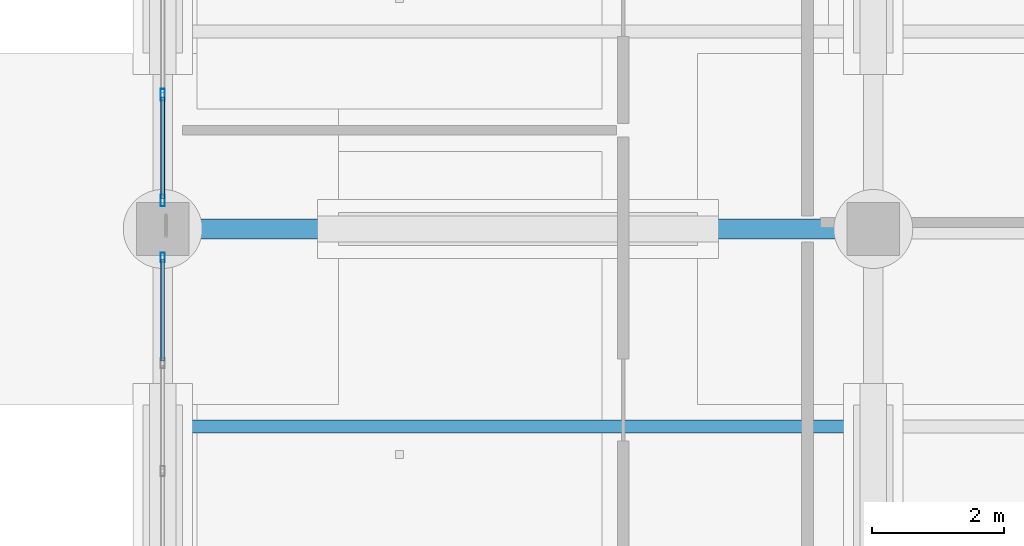
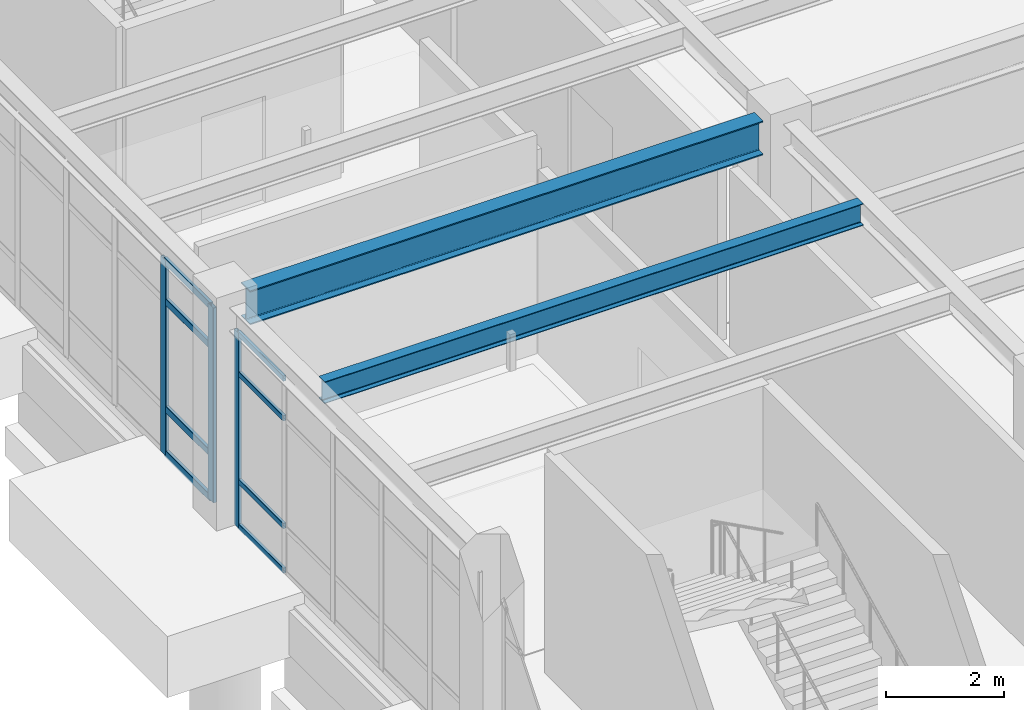
# One storey, part 39 of 98: 11 members, 2 beams, 2 elements without a shape of their own.
"""IFC4 building model written with IfcOpenShell, lengths in metres."""

import ifcopenshell
import ifcopenshell.guid

model = None  # the IFC model being written
_history = None  # IfcOwnerHistory: only IFC2X3 demands one
_inside = {}  # id of a spatial element -> (the spatial element, [elements in it])
_under = {}  # id of a project, library or spatial element -> (it, [spatial elements below it])
_declared = {}  # id of a project -> (the project, [libraries it declares])
_typed = {}  # id of a type object -> (the type object, [elements of that type])
_made_of = {}  # id of a material, layer set ... -> (it, [elements and type objects made of it])


def new_model(schema):
    """Start an empty IFC model of exactly this schema.

    Asked for "IFC4X3", IfcOpenShell would pick the latest addendum, in which some entities
    have other attributes; the version numbers below select the first issue.
    IFC2X3 requires an IfcOwnerHistory on every rooted entity: one is made here for all.
    """
    global model, _history
    if schema == "IFC4X3":
        model = ifcopenshell.file(schema_version=(4, 3, 0, 0))
    else:
        model = ifcopenshell.file(schema=schema)
    _inside.clear()
    _under.clear()
    _declared.clear()
    _typed.clear()
    _made_of.clear()
    _history = None
    if model.schema == "IFC2X3":
        org = make("IfcOrganization", Name="unknown")
        user = make(
            "IfcPersonAndOrganization",
            ThePerson=make("IfcPerson", FamilyName="unknown"),
            TheOrganization=org,
        )
        app = make(
            "IfcApplication",
            ApplicationDeveloper=org,
            Version="unknown",
            ApplicationFullName="unknown",
            ApplicationIdentifier="unknown",
        )
        _history = make(
            "IfcOwnerHistory",
            OwningUser=user,
            OwningApplication=app,
            ChangeAction="ADDED",
            CreationDate=0,
        )
    return model


def make(cls, **values):
    """One entity of the class cls with the attributes given. An attribute that is None is left unset."""
    return model.create_entity(
        cls, **{name: value for name, value in values.items() if value is not None}
    )


def rooted(cls, **values):
    """An entity with a GlobalId (a new one), such as an element, a storey or a relation."""
    return make(cls, GlobalId=ifcopenshell.guid.new(), OwnerHistory=_history, **values)


def si_unit(unit_type, name, prefix=None):
    """IfcSIUnit, for example si_unit("LENGTHUNIT", "METRE", prefix="MILLI")."""
    return make("IfcSIUnit", UnitType=unit_type, Prefix=prefix, Name=name)


def assignment(units):
    """IfcUnitAssignment: the units of a project."""
    return None if units is None else make("IfcUnitAssignment", Units=units)


def point(xyz):
    """IfcCartesianPoint."""
    return None if xyz is None else make("IfcCartesianPoint", Coordinates=xyz)


def direction(xyz):
    """IfcDirection."""
    return None if xyz is None else make("IfcDirection", DirectionRatios=xyz)


def frame(location, z_axis=None, x_axis=None):
    """IfcAxis2Placement3D, a coordinate frame: its origin and axes. An axis left out is left unset."""
    return make(
        "IfcAxis2Placement3D",
        Location=point(location),
        Axis=direction(z_axis),
        RefDirection=direction(x_axis),
    )


def frame_2d(location, x_axis=None):
    """IfcAxis2Placement2D, a coordinate frame in the plane: its origin and x axis."""
    return make(
        "IfcAxis2Placement2D", Location=point(location), RefDirection=direction(x_axis)
    )


def origin():
    """The frame at (0, 0, 0) with its axes left unset."""
    return frame((0.0, 0.0, 0.0))


def origin_2d():
    """The frame at (0, 0) in the plane with its x axis left unset."""
    return frame_2d((0.0, 0.0))


def place(relative_to, where):
    """IfcLocalPlacement: puts the frame where relative to a parent placement (None: the world)."""
    return make(
        "IfcLocalPlacement", PlacementRelTo=relative_to, RelativePlacement=where
    )


def context(
    kind, dimensions, precision=None, world=None, true_north=None, identifier=None
):
    """IfcGeometricRepresentationContext, for example the 3D "Model" context."""
    return make(
        "IfcGeometricRepresentationContext",
        ContextIdentifier=identifier,
        ContextType=kind,
        CoordinateSpaceDimension=dimensions,
        Precision=precision,
        WorldCoordinateSystem=world,
        TrueNorth=true_north,
    )


def subcontext(parent, identifier, kind, view, scale=None):
    """IfcGeometricRepresentationSubContext, for example "Body" below "Model"."""
    return make(
        "IfcGeometricRepresentationSubContext",
        ContextIdentifier=identifier,
        ContextType=kind,
        ParentContext=parent,
        TargetScale=scale,
        TargetView=view,
    )


def project(units=None, contexts=None):
    """IfcProject with its units and contexts."""
    return rooted(
        "IfcProject",
        Name="project",
        RepresentationContexts=contexts,
        UnitsInContext=assignment(units),
    )


def spatial(cls, under=None, at=None, **own):
    """A site, building, storey or space (cls), placed at a placement, below another one or the project."""
    s = rooted(cls, ObjectPlacement=at, **own)
    if under is not None:
        _under.setdefault(under.id(), (under, []))[1].append(s)
    return s


def profile(cls, at=None, kind="AREA", **sizes):
    """A parametric profile (cls). Its sizes go by their IFC names, for example OverallWidth=200.0."""
    return make(cls, ProfileType=kind, Position=at, **sizes)


def hollow_rectangle(**sizes):
    """IfcRectangleHollowProfileDef."""
    return profile("IfcRectangleHollowProfileDef", **sizes)


def i_section(**sizes):
    """IfcIShapeProfileDef."""
    return profile("IfcIShapeProfileDef", **sizes)


def extrude(swept, where, along, depth):
    """IfcExtrudedAreaSolid: the profile swept, set in the frame where, extruded along a direction by depth."""
    return make(
        "IfcExtrudedAreaSolid",
        SweptArea=swept,
        Position=where,
        ExtrudedDirection=direction(along),
        Depth=depth,
    )


def shape(context_of_items, identifier, shape_type, items):
    """IfcShapeRepresentation: the items that make up one representation, for example the "Body"."""
    return make(
        "IfcShapeRepresentation",
        ContextOfItems=context_of_items,
        RepresentationIdentifier=identifier,
        RepresentationType=shape_type,
        Items=items,
    )


def material(Name=None, Category=None):
    """IfcMaterial."""
    return make("IfcMaterial", Name=Name, Category=Category)


def material_profile(
    of_material, cross_section, Name=None, Category=None, Priority=None
):
    """IfcMaterialProfile: a cross section and its material."""
    return make(
        "IfcMaterialProfile",
        Name=Name,
        Material=of_material,
        Profile=cross_section,
        Priority=Priority,
        Category=Category,
    )


def profile_set(profiles, Name=None, composite=None):
    """IfcMaterialProfileSet."""
    return make(
        "IfcMaterialProfileSet",
        Name=Name,
        MaterialProfiles=profiles,
        CompositeProfile=composite,
    )


def made_of(thing, what):
    """Note that an element or type object is made of a material, layer set ...; save() writes the relation."""
    if what is not None:
        _made_of.setdefault(what.id(), (what, []))[1].append(thing)
    return thing


def type_object(cls, material=None, **own):
    """A type object (cls), such as IfcWallType, which elements share."""
    return made_of(rooted(cls, **own), material)


def element(
    cls,
    number,
    at=None,
    inside=None,
    cuts=None,
    type_object=None,
    material=None,
    context=None,
    identifier="Body",
    shape_type=None,
    held_by="IfcProductDefinitionShape",
    body=None,
    shapes=None,
    **own,
):
    """One element of the class cls, such as IfcWall. Its Tag is "e" and its number.

    at: its placement. inside: the storey or other place that contains it. cuts: it is an
    opening in that element (IfcRelVoidsElement). A single representation is given by context,
    identifier, shape_type and body (its items); several are given by shapes. held_by: the class
    of the entity that holds the representations. save() writes the other relations.
    """
    e = rooted(cls, Tag="e%d" % number, ObjectPlacement=at, **own)
    if body is not None:
        shapes = [shape(context, identifier, shape_type, body)]
    if shapes is not None:
        e.Representation = make(held_by, Representations=shapes)
    if inside is not None:
        _inside.setdefault(inside.id(), (inside, []))[1].append(e)
    if cuts is not None:
        rooted(
            "IfcRelVoidsElement", RelatingBuildingElement=cuts, RelatedOpeningElement=e
        )
    if type_object is not None:
        _typed.setdefault(type_object.id(), (type_object, []))[1].append(e)
    return made_of(e, material)


def aggregate(whole, parts):
    """IfcRelAggregates: a whole, such as a stair, and the parts it consists of."""
    return rooted("IfcRelAggregates", RelatingObject=whole, RelatedObjects=parts)


def save(model, path):
    """Write the relations noted so far, then the file.

    IfcRelAggregates (storeys below a building ...), IfcRelContainedInSpatialStructure (elements
    in a storey), IfcRelDefinesByType, IfcRelAssociatesMaterial and IfcRelDeclares: one each for
    every whole, place, type object, material and project.
    """
    for whole, parts in _under.values():
        aggregate(whole, parts)
    for where, things in _inside.values():
        rooted(
            "IfcRelContainedInSpatialStructure",
            RelatedElements=things,
            RelatingStructure=where,
        )
    for kind, things in _typed.values():
        rooted("IfcRelDefinesByType", RelatedObjects=things, RelatingType=kind)
    for what, things in _made_of.values():
        rooted("IfcRelAssociatesMaterial", RelatedObjects=things, RelatingMaterial=what)
    for by, libraries in _declared.values():
        rooted("IfcRelDeclares", RelatingContext=by, RelatedDefinitions=libraries)
    model.write(path)


model = new_model("IFC4")

# Units and contexts
model_context = context("Model", 3, precision=1e-05, world=origin(), true_north=direction((0.0, 1.0)))
body_context = subcontext(model_context, "Body", "Model", "MODEL_VIEW")
ifc_project = project(units=[si_unit("LENGTHUNIT", "METRE"), si_unit("AREAUNIT", "SQUARE_METRE"), si_unit("VOLUMEUNIT", "CUBIC_METRE"), si_unit("PLANEANGLEUNIT", "RADIAN"), si_unit("MASSUNIT", "GRAM", prefix="KILO")], contexts=[model_context])

# Site, building, storey
site_placement = place(None, origin())
site = spatial("IfcSite", under=ifc_project, at=site_placement, CompositionType="ELEMENT")
building_placement = place(site_placement, origin())
building = spatial("IfcBuilding", under=site, at=building_placement, Name="Canglan Escarpment Cableway Terminal", CompositionType="ELEMENT")
storey_placement = place(building_placement, frame((0.0, 0.0, 9.60009765625)))
storey = spatial("IfcBuildingStorey", under=building, at=storey_placement, Name="L02", CompositionType="ELEMENT", Elevation=9.60009765625)

# Beam
ifc_material_1 = material(Name="Steel Q355C", Category="steel")
ifc_material_profile_1 = material_profile(ifc_material_1, i_section(OverallWidth=0.300048828125, OverallDepth=0.699951171875, WebThickness=0.012939453125, FlangeThickness=0.02392578125, FilletRadius=0.028076171875, at=origin_2d()), Name="HN 700x300x13x24")
ifc_profile_set_1 = profile_set([ifc_material_profile_1], Name="Steel Q355C")
beam_type_1 = type_object("IfcBeamType", Name="BM-HN700", PredefinedType="BEAM", material=ifc_profile_set_1)
beam_1_placement = place(storey_placement, frame((115.5, 61.0, 4.169921875), z_axis=(1.0, 0.0, 0.0), x_axis=(0.0, 1.0, 0.0)))
element("IfcBeam", 1, at=beam_1_placement, inside=storey, type_object=beam_type_1, Name="Primary structural girder B-06", PredefinedType="BEAM", context=body_context, shape_type="SweptSolid", body=[
    extrude(i_section(OverallWidth=0.300048828125, OverallDepth=0.699951171875, WebThickness=0.012939453125, FlangeThickness=0.02392578125, FilletRadius=0.028076171875, at=origin_2d()), origin(), (0.0, 0.0, 1.0), 10.0),
])

# Curtain wall, member
ifc_material_2 = material(Name="Anodized bronze aluminium and Low-E double glazing", Category="aluminium")
curtain_wall_type = type_object("IfcCurtainWallType", Name="CW-BAY-8200x4025", PredefinedType="NOTDEFINED", material=ifc_material_2)
curtain_wall_1_placement = place(storey_placement, origin())
curtain_wall_1 = element("IfcCurtainWall", 2, at=curtain_wall_1_placement, inside=storey, type_object=curtain_wall_type, Name="Classical bay-between-piers glazed curtain wall CW-44", PredefinedType="NOTDEFINED")
ifc_material_3 = material(Name="Thermally broken anodized aluminium 6063-T6", Category="aluminium")
ifc_material_profile_2 = material_profile(ifc_material_3, hollow_rectangle(XDim=0.06494140625, YDim=0.14990234375, WallThickness=0.00341796875, InnerFilletRadius=0.00341796875, OuterFilletRadius=0.007080078125, at=origin_2d()), Name="ALU-MULL 65x150x3.5")
ifc_profile_set_2 = profile_set([ifc_material_profile_2], Name="Thermally broken anodized aluminium 6063-T6")
member_type_1 = type_object("IfcMemberType", Name="CWM-02", PredefinedType="MULLION", material=ifc_profile_set_2)
member_1_placement = place(storey_placement, frame((115.10009765625, 60.5673828125, 0.0), z_axis=(0.0, 0.0, 1.0), x_axis=(1.0, 0.0, 0.0)))
member_1 = element("IfcMember", 3, at=member_1_placement, type_object=member_type_1, Name="CW-44 mullion 1", PredefinedType="MULLION", context=body_context, shape_type="SweptSolid", body=[
    extrude(hollow_rectangle(XDim=0.06494140625, YDim=0.14990234375, WallThickness=0.00341796875, InnerFilletRadius=0.00341796875, OuterFilletRadius=0.007080078125, at=origin_2d()), origin(), (0.0, 0.0, 1.0), 4.016845703125),
])

# Curtain wall, members
curtain_wall_2_placement = place(storey_placement, origin())
curtain_wall_2 = element("IfcCurtainWall", 4, at=curtain_wall_2_placement, inside=storey, type_object=curtain_wall_type, Name="Classical bay-between-piers glazed curtain wall CW-44", PredefinedType="NOTDEFINED")
ifc_material_profile_3 = material_profile(ifc_material_3, hollow_rectangle(XDim=0.06494140625, YDim=0.179931640625, WallThickness=0.00390625, InnerFilletRadius=0.00390625, OuterFilletRadius=0.008056640625, at=origin_2d()), Name="ALU-MULL 65x180x4")
ifc_profile_set_3 = profile_set([ifc_material_profile_3], Name="Thermally broken anodized aluminium 6063-T6")
member_type_2 = type_object("IfcMemberType", Name="CWM-03", PredefinedType="MULLION", material=ifc_profile_set_3)
member_2_placement = place(storey_placement, frame((115.10009765625, 63.0400390625, 0.0), z_axis=(0.0, 0.0, 1.0), x_axis=(1.0, 0.0, 0.0)))
member_2 = element("IfcMember", 5, at=member_2_placement, type_object=member_type_2, Name="CW-44 mullion 5", PredefinedType="MULLION", context=body_context, shape_type="SweptSolid", body=[
    extrude(hollow_rectangle(XDim=0.06494140625, YDim=0.179931640625, WallThickness=0.00390625, InnerFilletRadius=0.00390625, OuterFilletRadius=0.008056640625, at=origin_2d()), origin(), (0.0, 0.0, 1.0), 4.016845703125),
])
member_3_placement = place(storey_placement, frame((115.10009765625, 61.4326171875, 0.0), z_axis=(0.0, 0.0, 1.0), x_axis=(1.0, 0.0, 0.0)))
member_3 = element("IfcMember", 6, at=member_3_placement, type_object=member_type_2, Name="CW-44 mullion 6", PredefinedType="MULLION", context=body_context, shape_type="SweptSolid", body=[
    extrude(hollow_rectangle(XDim=0.06494140625, YDim=0.179931640625, WallThickness=0.00390625, InnerFilletRadius=0.00390625, OuterFilletRadius=0.008056640625, at=origin_2d()), origin(), (0.0, 0.0, 1.0), 4.016845703125),
])

# Member
ifc_material_profile_4 = material_profile(ifc_material_3, hollow_rectangle(XDim=0.06005859375, YDim=0.110107421875, WallThickness=0.0029296875, InnerFilletRadius=0.0029296875, OuterFilletRadius=0.006103515625, at=origin_2d()), Name="ALU-TRAN 60x110x3")
ifc_profile_set_4 = profile_set([ifc_material_profile_4], Name="Thermally broken anodized aluminium 6063-T6")
member_type_3 = type_object("IfcMemberType", Name="CWT-02", PredefinedType="USERDEFINED", material=ifc_profile_set_4)
member_4_placement = place(storey_placement, frame((115.10009765625, 60.534912109375, 0.02978515625), z_axis=(0.0, -1.0, 0.0), x_axis=(1.0, 0.0, 0.0)))
member_4 = element("IfcMember", 7, at=member_4_placement, type_object=member_type_3, Name="CW-44 transom 1.1", ObjectType="TRANSOM", PredefinedType="USERDEFINED", context=body_context, shape_type="SweptSolid", body=[
    extrude(hollow_rectangle(XDim=0.06005859375, YDim=0.110107421875, WallThickness=0.0029296875, InnerFilletRadius=0.0029296875, OuterFilletRadius=0.006103515625, at=origin_2d()), origin(), (0.0, 0.0, 1.0), 1.54248046875),
])

member_5_placement = place(storey_placement, frame((115.10009765625, 60.534912109375, 0.949951171875), z_axis=(0.0, -1.0, 0.0), x_axis=(1.0, 0.0, 0.0)))
member_5 = element("IfcMember", 8, at=member_5_placement, type_object=member_type_3, Name="CW-44 transom 1.2", ObjectType="TRANSOM", PredefinedType="USERDEFINED", context=body_context, shape_type="SweptSolid", body=[
    extrude(hollow_rectangle(XDim=0.06005859375, YDim=0.110107421875, WallThickness=0.0029296875, InnerFilletRadius=0.0029296875, OuterFilletRadius=0.006103515625, at=origin_2d()), origin(), (0.0, 0.0, 1.0), 1.54248046875),
])

member_6_placement = place(storey_placement, frame((115.10009765625, 60.534912109375, 3.1669921875), z_axis=(0.0, -1.0, 0.0), x_axis=(1.0, 0.0, 0.0)))
member_6 = element("IfcMember", 9, at=member_6_placement, type_object=member_type_3, Name="CW-44 transom 1.3", ObjectType="TRANSOM", PredefinedType="USERDEFINED", context=body_context, shape_type="SweptSolid", body=[
    extrude(hollow_rectangle(XDim=0.06005859375, YDim=0.110107421875, WallThickness=0.0029296875, InnerFilletRadius=0.0029296875, OuterFilletRadius=0.006103515625, at=origin_2d()), origin(), (0.0, 0.0, 1.0), 1.54248046875),
])

member_7_placement = place(storey_placement, frame((115.10009765625, 60.534912109375, 3.98681640625), z_axis=(0.0, -1.0, 0.0), x_axis=(1.0, 0.0, 0.0)))
member_7 = element("IfcMember", 10, at=member_7_placement, type_object=member_type_3, Name="CW-44 transom 1.4", ObjectType="TRANSOM", PredefinedType="USERDEFINED", context=body_context, shape_type="SweptSolid", body=[
    extrude(hollow_rectangle(XDim=0.06005859375, YDim=0.110107421875, WallThickness=0.0029296875, InnerFilletRadius=0.0029296875, OuterFilletRadius=0.006103515625, at=origin_2d()), origin(), (0.0, 0.0, 1.0), 1.54248046875),
])

aggregate(curtain_wall_1, [member_1, member_4, member_5, member_6, member_7])

ifc_material_profile_5 = material_profile(ifc_material_3, hollow_rectangle(XDim=0.06494140625, YDim=0.139892578125, WallThickness=0.00341796875, InnerFilletRadius=0.00341796875, OuterFilletRadius=0.007080078125, at=origin_2d()), Name="ALU-TRAN 65x140x3.5")
ifc_profile_set_5 = profile_set([ifc_material_profile_5], Name="Thermally broken anodized aluminium 6063-T6")
member_type_4 = type_object("IfcMemberType", Name="CWT-03", PredefinedType="USERDEFINED", material=ifc_profile_set_5)
member_8_placement = place(storey_placement, frame((115.10009765625, 63.007568359375, 0.032470703125), z_axis=(0.0, -1.0, 0.0), x_axis=(1.0, 0.0, 0.0)))
member_8 = element("IfcMember", 11, at=member_8_placement, type_object=member_type_4, Name="CW-44 transom 5.1", ObjectType="TRANSOM", PredefinedType="USERDEFINED", context=body_context, shape_type="SweptSolid", body=[
    extrude(hollow_rectangle(XDim=0.06494140625, YDim=0.139892578125, WallThickness=0.00341796875, InnerFilletRadius=0.00341796875, OuterFilletRadius=0.007080078125, at=origin_2d()), origin(), (0.0, 0.0, 1.0), 1.54248046875),
])

member_9_placement = place(storey_placement, frame((115.10009765625, 63.007568359375, 0.949951171875), z_axis=(0.0, -1.0, 0.0), x_axis=(1.0, 0.0, 0.0)))
member_9 = element("IfcMember", 12, at=member_9_placement, type_object=member_type_4, Name="CW-44 transom 5.2", ObjectType="TRANSOM", PredefinedType="USERDEFINED", context=body_context, shape_type="SweptSolid", body=[
    extrude(hollow_rectangle(XDim=0.06494140625, YDim=0.139892578125, WallThickness=0.00341796875, InnerFilletRadius=0.00341796875, OuterFilletRadius=0.007080078125, at=origin_2d()), origin(), (0.0, 0.0, 1.0), 1.54248046875),
])

member_10_placement = place(storey_placement, frame((115.10009765625, 63.007568359375, 3.1669921875), z_axis=(0.0, -1.0, 0.0), x_axis=(1.0, 0.0, 0.0)))
member_10 = element("IfcMember", 13, at=member_10_placement, type_object=member_type_4, Name="CW-44 transom 5.3", ObjectType="TRANSOM", PredefinedType="USERDEFINED", context=body_context, shape_type="SweptSolid", body=[
    extrude(hollow_rectangle(XDim=0.06494140625, YDim=0.139892578125, WallThickness=0.00341796875, InnerFilletRadius=0.00341796875, OuterFilletRadius=0.007080078125, at=origin_2d()), origin(), (0.0, 0.0, 1.0), 1.54248046875),
])

member_11_placement = place(storey_placement, frame((115.10009765625, 63.007568359375, 3.984375), z_axis=(0.0, -1.0, 0.0), x_axis=(1.0, 0.0, 0.0)))
member_11 = element("IfcMember", 14, at=member_11_placement, type_object=member_type_4, Name="CW-44 transom 5.4", ObjectType="TRANSOM", PredefinedType="USERDEFINED", context=body_context, shape_type="SweptSolid", body=[
    extrude(hollow_rectangle(XDim=0.06494140625, YDim=0.139892578125, WallThickness=0.00341796875, InnerFilletRadius=0.00341796875, OuterFilletRadius=0.007080078125, at=origin_2d()), origin(), (0.0, 0.0, 1.0), 1.54248046875),
])

aggregate(curtain_wall_2, [member_2, member_3, member_8, member_9, member_10, member_11])

# Beam
ifc_material_4 = material(Name="Steel Q355B", Category="steel")
ifc_material_profile_6 = material_profile(ifc_material_4, i_section(OverallWidth=0.199951171875, OverallDepth=0.449951171875, WebThickness=0.009033203125, FlangeThickness=0.013916015625, FilletRadius=0.01806640625, at=origin_2d()), Name="HN 450x200x9x14")
ifc_profile_set_6 = profile_set([ifc_material_profile_6], Name="Steel Q355B")
beam_type_2 = type_object("IfcBeamType", Name="JS-HN450", PredefinedType="JOIST", material=ifc_profile_set_6)
beam_2_placement = place(storey_placement, frame((115.25, 58.0, 4.294921875), z_axis=(1.0, 0.0, 0.0), x_axis=(0.0, 1.0, 0.0)))
element("IfcBeam", 15, at=beam_2_placement, inside=storey, type_object=beam_type_2, Name="Secondary composite deck joist J-02", PredefinedType="JOIST", context=body_context, shape_type="SweptSolid", body=[
    extrude(i_section(OverallWidth=0.199951171875, OverallDepth=0.449951171875, WebThickness=0.009033203125, FlangeThickness=0.013916015625, FilletRadius=0.01806640625, at=origin_2d()), origin(), (0.0, 0.0, 1.0), 10.5),
])

save(model, "model.ifc")
